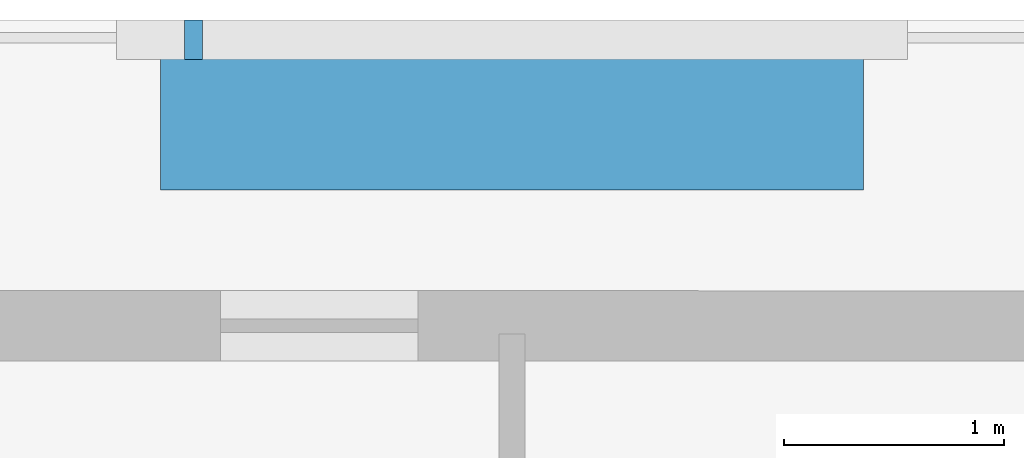
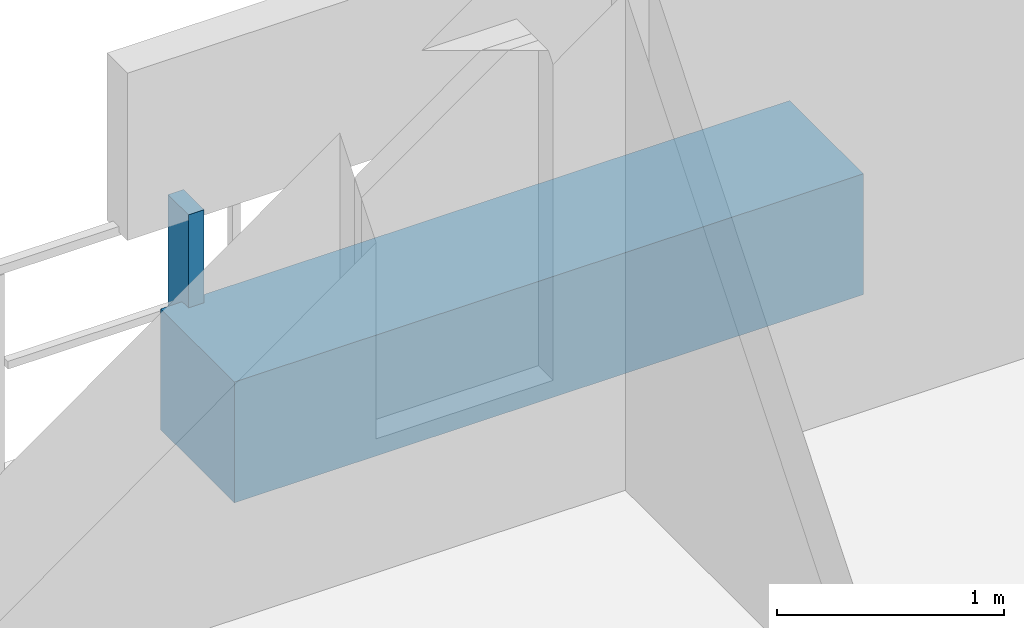
# One storey, part 28 of 32: 2 discrete accessories.
"""IFC4 building model written with IfcOpenShell, lengths in metres."""

from ifc_helpers import new_model, si_unit, direction, frame, origin, origin_2d, place, context, subcontext, project, spatial, rectangle, extrude, material, type_object, element, save


model = new_model("IFC4")

# Units and contexts
model_context = context("Model", 3, precision=1e-05, world=origin(), true_north=direction((0.0, 1.0)))
body_context = subcontext(model_context, "Body", "Model", "MODEL_VIEW")
ifc_project = project(units=[si_unit("LENGTHUNIT", "METRE"), si_unit("AREAUNIT", "SQUARE_METRE"), si_unit("VOLUMEUNIT", "CUBIC_METRE"), si_unit("PLANEANGLEUNIT", "RADIAN"), si_unit("MASSUNIT", "GRAM", prefix="KILO")], contexts=[model_context])

# Site, building, storey
site_placement = place(None, origin())
site = spatial("IfcSite", under=ifc_project, at=site_placement, CompositionType="ELEMENT")
building_placement = place(site_placement, origin())
building = spatial("IfcBuilding", under=site, at=building_placement, Name="Thornwick Lancets Civic Towers", CompositionType="ELEMENT")
storey_placement = place(building_placement, frame((0.0, 0.0, 178.5)))
storey = spatial("IfcBuildingStorey", under=building, at=storey_placement, Name="L47", CompositionType="ELEMENT", Elevation=178.5)

# Discrete accessories
ifc_material_1 = material(Name="Planted terracotta greenery planter", Category="masonry")
discrete_accessory_type_1 = type_object("IfcDiscreteAccessoryType", Name="ACC_PLANTER_BOX", PredefinedType="USERDEFINED", material=ifc_material_1)
discrete_accessory_1_placement = place(storey_placement, frame((88.5, 51.699951171875, 0.0), z_axis=(0.0, 0.0, 1.0), x_axis=(1.0, 0.0, 0.0)))
element("IfcDiscreteAccessory", 1, at=discrete_accessory_1_placement, inside=storey, type_object=discrete_accessory_type_1, Name="L47 Tower B Balcony Greenery Planter N", ObjectType="PLANTER", PredefinedType="USERDEFINED", context=body_context, shape_type="SweptSolid", body=[
    extrude(rectangle(XDim=3.199951171875, YDim=0.64990234375, at=origin_2d()), origin(), (0.0, 0.0, 1.0), 0.64990234375),
])
ifc_material_2 = material(Name="Stainless steel S355", Category="steel")
discrete_accessory_type_2 = type_object("IfcDiscreteAccessoryType", Name="ACC_SCREEN_BRACKET", PredefinedType="BRACKET", material=ifc_material_2)
discrete_accessory_2_placement = place(storey_placement, frame((87.050048828125, 52.06005859375, 0.0), z_axis=(0.0, 0.0, 1.0), x_axis=(1.0, 0.0, 0.0)))
element("IfcDiscreteAccessory", 2, at=discrete_accessory_2_placement, inside=storey, type_object=discrete_accessory_type_2, Name="L47 Tower B Balcony Screen Stanchion Bracket N-1", PredefinedType="BRACKET", context=body_context, shape_type="SweptSolid", body=[
    extrude(rectangle(XDim=0.080078125, YDim=0.179931640625, at=origin_2d()), origin(), (0.0, 0.0, 1.0), 1.14990234375),
])

save(model, "model.ifc")
